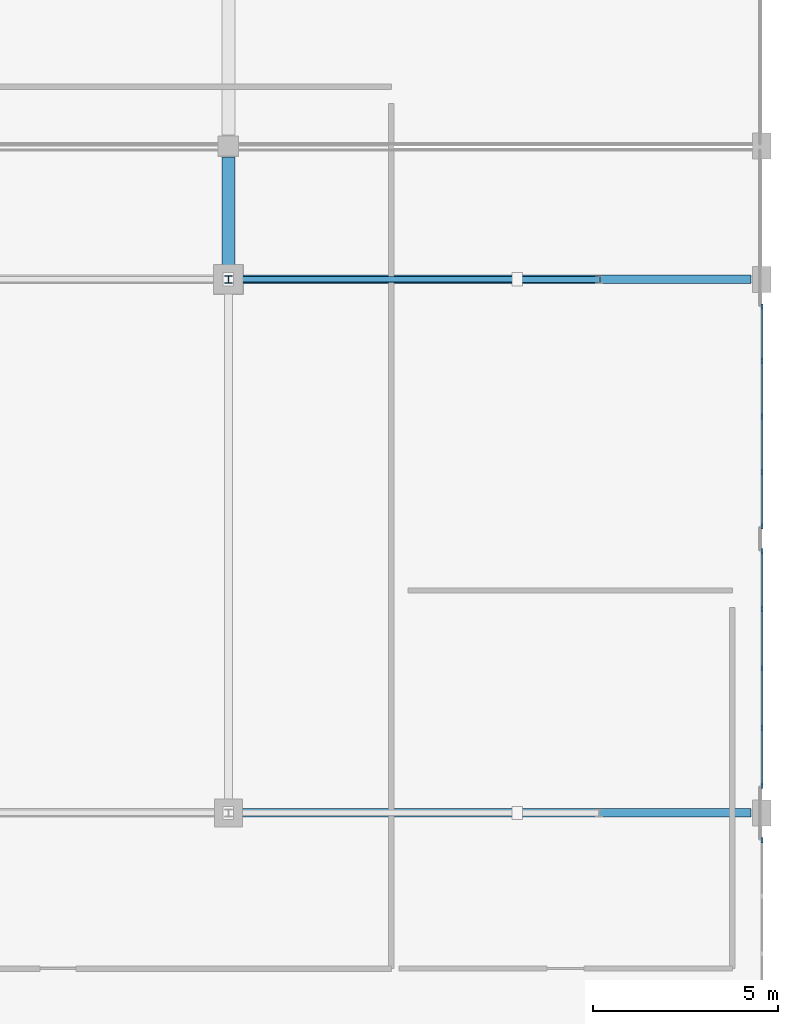
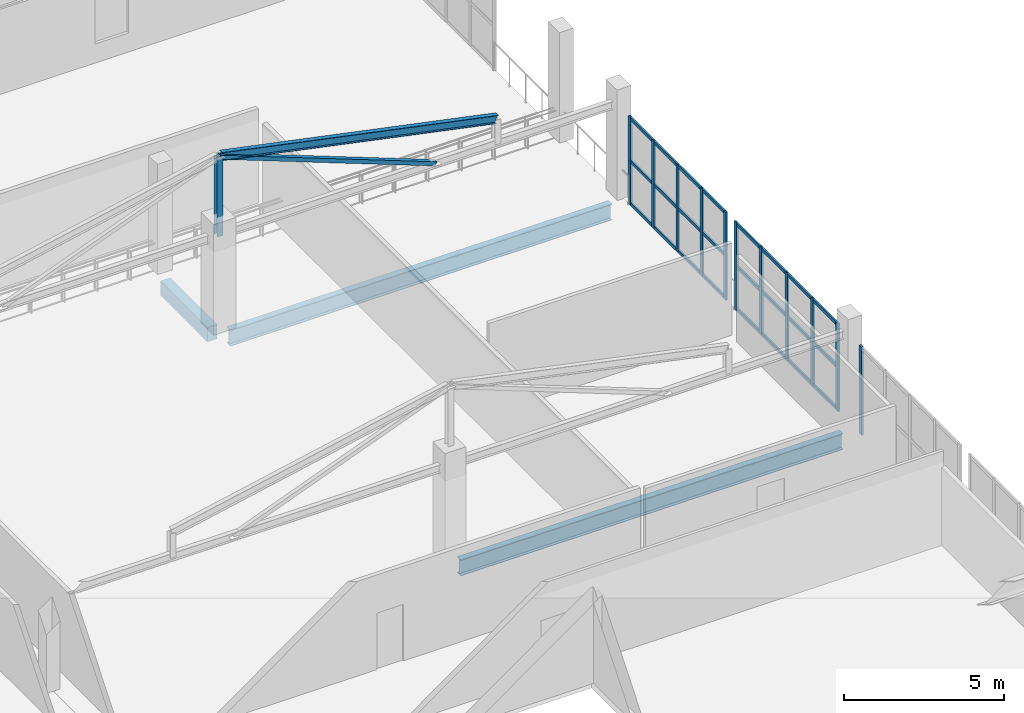
# One storey, part 37 of 92: 37 members, 4 beams, 3 elements without a shape of their own.
"""IFC4 building model written with IfcOpenShell, lengths in metres."""

from ifc_helpers import new_model, si_unit, direction, frame, origin, origin_2d, place, context, subcontext, project, spatial, rectangle, hollow_rectangle, i_section, extrude, material, material_profile, profile_set, type_object, element, aggregate, save


model = new_model("IFC4")

# Units and contexts
model_context = context("Model", 3, precision=1e-05, world=origin(), true_north=direction((0.0, 1.0)))
body_context = subcontext(model_context, "Body", "Model", "MODEL_VIEW")
ifc_project = project(units=[si_unit("LENGTHUNIT", "METRE"), si_unit("AREAUNIT", "SQUARE_METRE"), si_unit("VOLUMEUNIT", "CUBIC_METRE"), si_unit("PLANEANGLEUNIT", "RADIAN"), si_unit("MASSUNIT", "GRAM", prefix="KILO")], contexts=[model_context])

# Site, building, storey
site_placement = place(None, origin())
site = spatial("IfcSite", under=ifc_project, at=site_placement, CompositionType="ELEMENT")
building_placement = place(site_placement, origin())
building = spatial("IfcBuilding", under=site, at=building_placement, Name="Solanera Park Tramway Depot", CompositionType="ELEMENT")
storey_placement = place(building_placement, frame((0.0, 0.0, 4.800048828125)))
storey = spatial("IfcBuildingStorey", under=building, at=storey_placement, Name="L01", CompositionType="ELEMENT", Elevation=4.800048828125)

# Curtain wall, member
ifc_material_1 = material(Name="Bronze-anodised thermally broken aluminium curtain wall", Category="aluminium")
curtain_wall_type = type_object("IfcCurtainWallType", Name="Parkfront Loggia Curtain Wall", PredefinedType="NOTDEFINED", material=ifc_material_1)
curtain_wall_1_placement = place(storey_placement, origin())
curtain_wall_1 = element("IfcCurtainWall", 1, at=curtain_wall_1_placement, inside=storey, type_object=curtain_wall_type, Name="L01 Parkfront Loggia Curtain Wall #136", PredefinedType="NOTDEFINED")
ifc_material_2 = material(Name="Bronze-anodised structural aluminium 6063-T6", Category="aluminium")
ifc_material_profile_1 = material_profile(ifc_material_2, rectangle(XDim=0.06494140625, YDim=0.14990234375, at=origin_2d()), Name="Curtain Wall Mullion 65x150")
ifc_profile_set_1 = profile_set([ifc_material_profile_1], Name="Bronze-anodised structural aluminium 6063-T6")
member_type_1 = type_object("IfcMemberType", Name="Curtain Wall Mullion 65x150", PredefinedType="MULLION", material=ifc_profile_set_1)
member_1_placement = place(storey_placement, frame((216.0, 35.267578125, 0.0), z_axis=(0.0, 0.0, 1.0), x_axis=(1.0, 0.0, 0.0)))
member_1 = element("IfcMember", 2, at=member_1_placement, type_object=member_type_1, Name="CW-L01-136 Mullion 5", PredefinedType="MULLION", context=body_context, shape_type="SweptSolid", body=[
    extrude(rectangle(XDim=0.06494140625, YDim=0.14990234375, at=origin_2d()), origin(), (0.0, 0.0, 1.0), 3.349853515625),
])
aggregate(curtain_wall_1, [member_1])

# Curtain wall, members
curtain_wall_2_placement = place(storey_placement, origin())
curtain_wall_2 = element("IfcCurtainWall", 3, at=curtain_wall_2_placement, inside=storey, type_object=curtain_wall_type, Name="L01 Parkfront Loggia Curtain Wall #137", PredefinedType="NOTDEFINED")
member_2_placement = place(storey_placement, frame((216.0, 36.732421875, 0.0), z_axis=(0.0, 0.0, 1.0), x_axis=(1.0, 0.0, 0.0)))
member_2 = element("IfcMember", 4, at=member_2_placement, type_object=member_type_1, Name="CW-L01-137 Mullion 1", PredefinedType="MULLION", context=body_context, shape_type="SweptSolid", body=[
    extrude(rectangle(XDim=0.06494140625, YDim=0.14990234375, at=origin_2d()), origin(), (0.0, 0.0, 1.0), 3.349853515625),
])
member_3_placement = place(storey_placement, frame((216.0, 38.300048828125, 0.0), z_axis=(0.0, 0.0, 1.0), x_axis=(1.0, 0.0, 0.0)))
member_3 = element("IfcMember", 5, at=member_3_placement, type_object=member_type_1, Name="CW-L01-137 Mullion 2", PredefinedType="MULLION", context=body_context, shape_type="SweptSolid", body=[
    extrude(rectangle(XDim=0.06494140625, YDim=0.14990234375, at=origin_2d()), origin(), (0.0, 0.0, 1.0), 3.349853515625),
])
member_4_placement = place(storey_placement, frame((216.0, 39.89990234375, 0.0), z_axis=(0.0, 0.0, 1.0), x_axis=(1.0, 0.0, 0.0)))
member_4 = element("IfcMember", 6, at=member_4_placement, type_object=member_type_1, Name="CW-L01-137 Mullion 3", PredefinedType="MULLION", context=body_context, shape_type="SweptSolid", body=[
    extrude(rectangle(XDim=0.06494140625, YDim=0.14990234375, at=origin_2d()), origin(), (0.0, 0.0, 1.0), 3.349853515625),
])
member_5_placement = place(storey_placement, frame((216.0, 41.5, 0.0), z_axis=(0.0, 0.0, 1.0), x_axis=(1.0, 0.0, 0.0)))
member_5 = element("IfcMember", 7, at=member_5_placement, type_object=member_type_1, Name="CW-L01-137 Mullion 4", PredefinedType="MULLION", context=body_context, shape_type="SweptSolid", body=[
    extrude(rectangle(XDim=0.06494140625, YDim=0.14990234375, at=origin_2d()), origin(), (0.0, 0.0, 1.0), 3.349853515625),
])
member_6_placement = place(storey_placement, frame((216.0, 43.0673828125, 0.0), z_axis=(0.0, 0.0, 1.0), x_axis=(1.0, 0.0, 0.0)))
member_6 = element("IfcMember", 8, at=member_6_placement, type_object=member_type_1, Name="CW-L01-137 Mullion 5", PredefinedType="MULLION", context=body_context, shape_type="SweptSolid", body=[
    extrude(rectangle(XDim=0.06494140625, YDim=0.14990234375, at=origin_2d()), origin(), (0.0, 0.0, 1.0), 3.349853515625),
])

curtain_wall_3_placement = place(storey_placement, origin())
curtain_wall_3 = element("IfcCurtainWall", 9, at=curtain_wall_3_placement, inside=storey, type_object=curtain_wall_type, Name="L01 Parkfront Loggia Curtain Wall #138", PredefinedType="NOTDEFINED")
member_7_placement = place(storey_placement, frame((216.0, 43.732421875, 0.0), z_axis=(0.0, 0.0, 1.0), x_axis=(1.0, 0.0, 0.0)))
member_7 = element("IfcMember", 10, at=member_7_placement, type_object=member_type_1, Name="CW-L01-138 Mullion 1", PredefinedType="MULLION", context=body_context, shape_type="SweptSolid", body=[
    extrude(rectangle(XDim=0.06494140625, YDim=0.14990234375, at=origin_2d()), origin(), (0.0, 0.0, 1.0), 3.349853515625),
])
member_8_placement = place(storey_placement, frame((216.0, 45.199951171875, 0.0), z_axis=(0.0, 0.0, 1.0), x_axis=(1.0, 0.0, 0.0)))
member_8 = element("IfcMember", 11, at=member_8_placement, type_object=member_type_1, Name="CW-L01-138 Mullion 2", PredefinedType="MULLION", context=body_context, shape_type="SweptSolid", body=[
    extrude(rectangle(XDim=0.06494140625, YDim=0.14990234375, at=origin_2d()), origin(), (0.0, 0.0, 1.0), 3.349853515625),
])
member_9_placement = place(storey_placement, frame((216.0, 46.699951171875, 0.0), z_axis=(0.0, 0.0, 1.0), x_axis=(1.0, 0.0, 0.0)))
member_9 = element("IfcMember", 12, at=member_9_placement, type_object=member_type_1, Name="CW-L01-138 Mullion 3", PredefinedType="MULLION", context=body_context, shape_type="SweptSolid", body=[
    extrude(rectangle(XDim=0.06494140625, YDim=0.14990234375, at=origin_2d()), origin(), (0.0, 0.0, 1.0), 3.349853515625),
])
member_10_placement = place(storey_placement, frame((216.0, 48.199951171875, 0.0), z_axis=(0.0, 0.0, 1.0), x_axis=(1.0, 0.0, 0.0)))
member_10 = element("IfcMember", 13, at=member_10_placement, type_object=member_type_1, Name="CW-L01-138 Mullion 4", PredefinedType="MULLION", context=body_context, shape_type="SweptSolid", body=[
    extrude(rectangle(XDim=0.06494140625, YDim=0.14990234375, at=origin_2d()), origin(), (0.0, 0.0, 1.0), 3.349853515625),
])
member_11_placement = place(storey_placement, frame((216.0, 49.66748046875, 0.0), z_axis=(0.0, 0.0, 1.0), x_axis=(1.0, 0.0, 0.0)))
member_11 = element("IfcMember", 14, at=member_11_placement, type_object=member_type_1, Name="CW-L01-138 Mullion 5", PredefinedType="MULLION", context=body_context, shape_type="SweptSolid", body=[
    extrude(rectangle(XDim=0.06494140625, YDim=0.14990234375, at=origin_2d()), origin(), (0.0, 0.0, 1.0), 3.349853515625),
])

# Member
ifc_material_3 = material(Name="Bronze-anodised structural aluminium 6063-T6", Category="aluminium")
ifc_material_profile_2 = material_profile(ifc_material_3, rectangle(XDim=0.06494140625, YDim=0.1201171875, at=origin_2d()), Name="Curtain Wall Transom 65x120")
ifc_profile_set_2 = profile_set([ifc_material_profile_2], Name="Bronze-anodised structural aluminium 6063-T6")
member_type_2 = type_object("IfcMemberType", Name="Curtain Wall Transom 65x120", PredefinedType="USERDEFINED", material=ifc_profile_set_2)
member_12_placement = place(storey_placement, frame((216.0, 36.760498046875, 0.06005859375), z_axis=(0.0, 1.0, 0.0), x_axis=(-1.0, 0.0, 0.0)))
member_12 = element("IfcMember", 15, at=member_12_placement, type_object=member_type_2, Name="CW-L01-137 Transom R1.C1", ObjectType="TRANSOM", PredefinedType="USERDEFINED", context=body_context, shape_type="SweptSolid", body=[
    extrude(rectangle(XDim=0.06494140625, YDim=0.1201171875, at=origin_2d()), origin(), (0.0, 0.0, 1.0), 1.511474609375),
])

member_13_placement = place(storey_placement, frame((216.0, 38.327880859375, 0.06005859375), z_axis=(0.0, 1.0, 0.0), x_axis=(-1.0, 0.0, 0.0)))
member_13 = element("IfcMember", 16, at=member_13_placement, type_object=member_type_2, Name="CW-L01-137 Transom R1.C2", ObjectType="TRANSOM", PredefinedType="USERDEFINED", context=body_context, shape_type="SweptSolid", body=[
    extrude(rectangle(XDim=0.06494140625, YDim=0.1201171875, at=origin_2d()), origin(), (0.0, 0.0, 1.0), 1.544189453125),
])

member_14_placement = place(storey_placement, frame((216.0, 39.927978515625, 0.06005859375), z_axis=(0.0, 1.0, 0.0), x_axis=(-1.0, 0.0, 0.0)))
member_14 = element("IfcMember", 17, at=member_14_placement, type_object=member_type_2, Name="CW-L01-137 Transom R1.C3", ObjectType="TRANSOM", PredefinedType="USERDEFINED", context=body_context, shape_type="SweptSolid", body=[
    extrude(rectangle(XDim=0.06494140625, YDim=0.1201171875, at=origin_2d()), origin(), (0.0, 0.0, 1.0), 1.5439453125),
])

member_15_placement = place(storey_placement, frame((216.0, 41.528076171875, 0.06005859375), z_axis=(0.0, 1.0, 0.0), x_axis=(-1.0, 0.0, 0.0)))
member_15 = element("IfcMember", 18, at=member_15_placement, type_object=member_type_2, Name="CW-L01-137 Transom R1.C4", ObjectType="TRANSOM", PredefinedType="USERDEFINED", context=body_context, shape_type="SweptSolid", body=[
    extrude(rectangle(XDim=0.06494140625, YDim=0.1201171875, at=origin_2d()), origin(), (0.0, 0.0, 1.0), 1.511474609375),
])

member_16_placement = place(storey_placement, frame((216.0, 36.760498046875, 1.675048828125), z_axis=(0.0, 1.0, 0.0), x_axis=(-1.0, 0.0, 0.0)))
member_16 = element("IfcMember", 19, at=member_16_placement, type_object=member_type_2, Name="CW-L01-137 Transom R2.C1", ObjectType="TRANSOM", PredefinedType="USERDEFINED", context=body_context, shape_type="SweptSolid", body=[
    extrude(rectangle(XDim=0.06494140625, YDim=0.1201171875, at=origin_2d()), origin(), (0.0, 0.0, 1.0), 1.511474609375),
])

member_17_placement = place(storey_placement, frame((216.0, 38.327880859375, 1.675048828125), z_axis=(0.0, 1.0, 0.0), x_axis=(-1.0, 0.0, 0.0)))
member_17 = element("IfcMember", 20, at=member_17_placement, type_object=member_type_2, Name="CW-L01-137 Transom R2.C2", ObjectType="TRANSOM", PredefinedType="USERDEFINED", context=body_context, shape_type="SweptSolid", body=[
    extrude(rectangle(XDim=0.06494140625, YDim=0.1201171875, at=origin_2d()), origin(), (0.0, 0.0, 1.0), 1.544189453125),
])

member_18_placement = place(storey_placement, frame((216.0, 39.927978515625, 1.675048828125), z_axis=(0.0, 1.0, 0.0), x_axis=(-1.0, 0.0, 0.0)))
member_18 = element("IfcMember", 21, at=member_18_placement, type_object=member_type_2, Name="CW-L01-137 Transom R2.C3", ObjectType="TRANSOM", PredefinedType="USERDEFINED", context=body_context, shape_type="SweptSolid", body=[
    extrude(rectangle(XDim=0.06494140625, YDim=0.1201171875, at=origin_2d()), origin(), (0.0, 0.0, 1.0), 1.5439453125),
])

member_19_placement = place(storey_placement, frame((216.0, 41.528076171875, 1.675048828125), z_axis=(0.0, 1.0, 0.0), x_axis=(-1.0, 0.0, 0.0)))
member_19 = element("IfcMember", 22, at=member_19_placement, type_object=member_type_2, Name="CW-L01-137 Transom R2.C4", ObjectType="TRANSOM", PredefinedType="USERDEFINED", context=body_context, shape_type="SweptSolid", body=[
    extrude(rectangle(XDim=0.06494140625, YDim=0.1201171875, at=origin_2d()), origin(), (0.0, 0.0, 1.0), 1.511474609375),
])

member_20_placement = place(storey_placement, frame((216.0, 36.760498046875, 3.2900390625), z_axis=(0.0, 1.0, 0.0), x_axis=(-1.0, 0.0, 0.0)))
member_20 = element("IfcMember", 23, at=member_20_placement, type_object=member_type_2, Name="CW-L01-137 Transom R3.C1", ObjectType="TRANSOM", PredefinedType="USERDEFINED", context=body_context, shape_type="SweptSolid", body=[
    extrude(rectangle(XDim=0.06494140625, YDim=0.1201171875, at=origin_2d()), origin(), (0.0, 0.0, 1.0), 1.511474609375),
])

member_21_placement = place(storey_placement, frame((216.0, 38.327880859375, 3.2900390625), z_axis=(0.0, 1.0, 0.0), x_axis=(-1.0, 0.0, 0.0)))
member_21 = element("IfcMember", 24, at=member_21_placement, type_object=member_type_2, Name="CW-L01-137 Transom R3.C2", ObjectType="TRANSOM", PredefinedType="USERDEFINED", context=body_context, shape_type="SweptSolid", body=[
    extrude(rectangle(XDim=0.06494140625, YDim=0.1201171875, at=origin_2d()), origin(), (0.0, 0.0, 1.0), 1.544189453125),
])

member_22_placement = place(storey_placement, frame((216.0, 39.927978515625, 3.2900390625), z_axis=(0.0, 1.0, 0.0), x_axis=(-1.0, 0.0, 0.0)))
member_22 = element("IfcMember", 25, at=member_22_placement, type_object=member_type_2, Name="CW-L01-137 Transom R3.C3", ObjectType="TRANSOM", PredefinedType="USERDEFINED", context=body_context, shape_type="SweptSolid", body=[
    extrude(rectangle(XDim=0.06494140625, YDim=0.1201171875, at=origin_2d()), origin(), (0.0, 0.0, 1.0), 1.5439453125),
])

member_23_placement = place(storey_placement, frame((216.0, 41.528076171875, 3.2900390625), z_axis=(0.0, 1.0, 0.0), x_axis=(-1.0, 0.0, 0.0)))
member_23 = element("IfcMember", 26, at=member_23_placement, type_object=member_type_2, Name="CW-L01-137 Transom R3.C4", ObjectType="TRANSOM", PredefinedType="USERDEFINED", context=body_context, shape_type="SweptSolid", body=[
    extrude(rectangle(XDim=0.06494140625, YDim=0.1201171875, at=origin_2d()), origin(), (0.0, 0.0, 1.0), 1.511474609375),
])

aggregate(curtain_wall_2, [member_2, member_3, member_4, member_5, member_6, member_12, member_13, member_14, member_15, member_16, member_17, member_18, member_19, member_20, member_21, member_22, member_23])

member_24_placement = place(storey_placement, frame((216.0, 43.760498046875, 0.06005859375), z_axis=(0.0, 1.0, 0.0), x_axis=(-1.0, 0.0, 0.0)))
member_24 = element("IfcMember", 27, at=member_24_placement, type_object=member_type_2, Name="CW-L01-138 Transom R1.C1", ObjectType="TRANSOM", PredefinedType="USERDEFINED", context=body_context, shape_type="SweptSolid", body=[
    extrude(rectangle(XDim=0.06494140625, YDim=0.1201171875, at=origin_2d()), origin(), (0.0, 0.0, 1.0), 1.41162109375),
])

member_25_placement = place(storey_placement, frame((216.0, 45.22802734375, 0.06005859375), z_axis=(0.0, 1.0, 0.0), x_axis=(-1.0, 0.0, 0.0)))
member_25 = element("IfcMember", 28, at=member_25_placement, type_object=member_type_2, Name="CW-L01-138 Transom R1.C2", ObjectType="TRANSOM", PredefinedType="USERDEFINED", context=body_context, shape_type="SweptSolid", body=[
    extrude(rectangle(XDim=0.06494140625, YDim=0.1201171875, at=origin_2d()), origin(), (0.0, 0.0, 1.0), 1.444091796875),
])

member_26_placement = place(storey_placement, frame((216.0, 46.72802734375, 0.06005859375), z_axis=(0.0, 1.0, 0.0), x_axis=(-1.0, 0.0, 0.0)))
member_26 = element("IfcMember", 29, at=member_26_placement, type_object=member_type_2, Name="CW-L01-138 Transom R1.C3", ObjectType="TRANSOM", PredefinedType="USERDEFINED", context=body_context, shape_type="SweptSolid", body=[
    extrude(rectangle(XDim=0.06494140625, YDim=0.1201171875, at=origin_2d()), origin(), (0.0, 0.0, 1.0), 1.444091796875),
])

member_27_placement = place(storey_placement, frame((216.0, 48.22802734375, 0.06005859375), z_axis=(0.0, 1.0, 0.0), x_axis=(-1.0, 0.0, 0.0)))
member_27 = element("IfcMember", 30, at=member_27_placement, type_object=member_type_2, Name="CW-L01-138 Transom R1.C4", ObjectType="TRANSOM", PredefinedType="USERDEFINED", context=body_context, shape_type="SweptSolid", body=[
    extrude(rectangle(XDim=0.06494140625, YDim=0.1201171875, at=origin_2d()), origin(), (0.0, 0.0, 1.0), 1.411376953125),
])

member_28_placement = place(storey_placement, frame((216.0, 43.760498046875, 1.675048828125), z_axis=(0.0, 1.0, 0.0), x_axis=(-1.0, 0.0, 0.0)))
member_28 = element("IfcMember", 31, at=member_28_placement, type_object=member_type_2, Name="CW-L01-138 Transom R2.C1", ObjectType="TRANSOM", PredefinedType="USERDEFINED", context=body_context, shape_type="SweptSolid", body=[
    extrude(rectangle(XDim=0.06494140625, YDim=0.1201171875, at=origin_2d()), origin(), (0.0, 0.0, 1.0), 1.41162109375),
])

member_29_placement = place(storey_placement, frame((216.0, 45.22802734375, 1.675048828125), z_axis=(0.0, 1.0, 0.0), x_axis=(-1.0, 0.0, 0.0)))
member_29 = element("IfcMember", 32, at=member_29_placement, type_object=member_type_2, Name="CW-L01-138 Transom R2.C2", ObjectType="TRANSOM", PredefinedType="USERDEFINED", context=body_context, shape_type="SweptSolid", body=[
    extrude(rectangle(XDim=0.06494140625, YDim=0.1201171875, at=origin_2d()), origin(), (0.0, 0.0, 1.0), 1.444091796875),
])

member_30_placement = place(storey_placement, frame((216.0, 46.72802734375, 1.675048828125), z_axis=(0.0, 1.0, 0.0), x_axis=(-1.0, 0.0, 0.0)))
member_30 = element("IfcMember", 33, at=member_30_placement, type_object=member_type_2, Name="CW-L01-138 Transom R2.C3", ObjectType="TRANSOM", PredefinedType="USERDEFINED", context=body_context, shape_type="SweptSolid", body=[
    extrude(rectangle(XDim=0.06494140625, YDim=0.1201171875, at=origin_2d()), origin(), (0.0, 0.0, 1.0), 1.444091796875),
])

member_31_placement = place(storey_placement, frame((216.0, 48.22802734375, 1.675048828125), z_axis=(0.0, 1.0, 0.0), x_axis=(-1.0, 0.0, 0.0)))
member_31 = element("IfcMember", 34, at=member_31_placement, type_object=member_type_2, Name="CW-L01-138 Transom R2.C4", ObjectType="TRANSOM", PredefinedType="USERDEFINED", context=body_context, shape_type="SweptSolid", body=[
    extrude(rectangle(XDim=0.06494140625, YDim=0.1201171875, at=origin_2d()), origin(), (0.0, 0.0, 1.0), 1.411376953125),
])

member_32_placement = place(storey_placement, frame((216.0, 43.760498046875, 3.2900390625), z_axis=(0.0, 1.0, 0.0), x_axis=(-1.0, 0.0, 0.0)))
member_32 = element("IfcMember", 35, at=member_32_placement, type_object=member_type_2, Name="CW-L01-138 Transom R3.C1", ObjectType="TRANSOM", PredefinedType="USERDEFINED", context=body_context, shape_type="SweptSolid", body=[
    extrude(rectangle(XDim=0.06494140625, YDim=0.1201171875, at=origin_2d()), origin(), (0.0, 0.0, 1.0), 1.41162109375),
])

member_33_placement = place(storey_placement, frame((216.0, 45.22802734375, 3.2900390625), z_axis=(0.0, 1.0, 0.0), x_axis=(-1.0, 0.0, 0.0)))
member_33 = element("IfcMember", 36, at=member_33_placement, type_object=member_type_2, Name="CW-L01-138 Transom R3.C2", ObjectType="TRANSOM", PredefinedType="USERDEFINED", context=body_context, shape_type="SweptSolid", body=[
    extrude(rectangle(XDim=0.06494140625, YDim=0.1201171875, at=origin_2d()), origin(), (0.0, 0.0, 1.0), 1.444091796875),
])

member_34_placement = place(storey_placement, frame((216.0, 46.72802734375, 3.2900390625), z_axis=(0.0, 1.0, 0.0), x_axis=(-1.0, 0.0, 0.0)))
member_34 = element("IfcMember", 37, at=member_34_placement, type_object=member_type_2, Name="CW-L01-138 Transom R3.C3", ObjectType="TRANSOM", PredefinedType="USERDEFINED", context=body_context, shape_type="SweptSolid", body=[
    extrude(rectangle(XDim=0.06494140625, YDim=0.1201171875, at=origin_2d()), origin(), (0.0, 0.0, 1.0), 1.444091796875),
])

member_35_placement = place(storey_placement, frame((216.0, 48.22802734375, 3.2900390625), z_axis=(0.0, 1.0, 0.0), x_axis=(-1.0, 0.0, 0.0)))
member_35 = element("IfcMember", 38, at=member_35_placement, type_object=member_type_2, Name="CW-L01-138 Transom R3.C4", ObjectType="TRANSOM", PredefinedType="USERDEFINED", context=body_context, shape_type="SweptSolid", body=[
    extrude(rectangle(XDim=0.06494140625, YDim=0.1201171875, at=origin_2d()), origin(), (0.0, 0.0, 1.0), 1.411376953125),
])

aggregate(curtain_wall_3, [member_7, member_8, member_9, member_10, member_11, member_24, member_25, member_26, member_27, member_28, member_29, member_30, member_31, member_32, member_33, member_34, member_35])

# Beam
ifc_material_4 = material(Name="Concrete N40 (C40/50)", Category="concrete")
ifc_material_profile_3 = material_profile(ifc_material_4, rectangle(XDim=0.35009765625, YDim=0.550048828125, at=origin_2d()), Name="RCB 350x550")
ifc_profile_set_3 = profile_set([ifc_material_profile_3], Name="Concrete N40 (C40/50)")
beam_type_1 = type_object("IfcBeamType", Name="RC Floor Beam RCB 350x550", PredefinedType="BEAM", material=ifc_profile_set_3)
beam_1_placement = place(storey_placement, frame((201.60009765625, 50.77490234375, -0.529052734375), z_axis=(0.0, 1.0, 0.0), x_axis=(-1.0, 0.0, 0.0)))
element("IfcBeam", 39, at=beam_1_placement, inside=storey, type_object=beam_type_1, Name="L01 Primary Y-Girder RCB 350x550 #0086", PredefinedType="BEAM", context=body_context, shape_type="SweptSolid", body=[
    extrude(rectangle(XDim=0.35009765625, YDim=0.550048828125, at=origin_2d()), origin(), (0.0, 0.0, 1.0), 2.925048828125),
])

# Member
ifc_material_5 = material(Name="Steel AS/NZS 3679.1 Grade 350", Category="steel")
ifc_material_profile_4 = material_profile(ifc_material_5, i_section(OverallWidth=0.205078125, OverallDepth=0.209716796875, WebThickness=0.00927734375, FlangeThickness=0.01416015625, at=origin_2d()), Name="200UC59.5")
ifc_profile_set_4 = profile_set([ifc_material_profile_4], Name="Steel AS/NZS 3679.1 Grade 350")
member_type_3 = type_object("IfcMemberType", Name="Roof Gantry Compression Strut 200UC59.5", PredefinedType="STRUT", material=ifc_profile_set_4)
member_36_placement = place(storey_placement, frame((201.60009765625, 50.39990234375, 3.451416015625), z_axis=(0.0, 0.0, 1.0), x_axis=(1.0, 0.0, 0.0)))
element("IfcMember", 40, at=member_36_placement, inside=storey, type_object=member_type_3, Name="Hip ROOF TRUSS King Post #0184", PredefinedType="STRUT", context=body_context, shape_type="SweptSolid", body=[
    extrude(i_section(OverallWidth=0.205078125, OverallDepth=0.209716796875, WebThickness=0.00927734375, FlangeThickness=0.01416015625, at=origin_2d()), origin(), (0.0, 0.0, 1.0), 2.982421875),
])

# Beams
ifc_material_6 = material(Name="Steel AS/NZS 3679.1 Grade 350", Category="steel")
ifc_material_profile_5 = material_profile(ifc_material_6, i_section(OverallWidth=0.166015625, OverallDepth=0.30712890625, WebThickness=0.006591796875, FlangeThickness=0.01171875, at=origin_2d()), Name="310UB46.2")
ifc_profile_set_5 = profile_set([ifc_material_profile_5], Name="Steel AS/NZS 3679.1 Grade 350")
beam_type_2 = type_object("IfcBeamType", Name="Steel Beam 310UB46.2", PredefinedType="BEAM", material=ifc_profile_set_5)
beam_2_placement = place(storey_placement, frame((201.659912109375, 50.39990234375, 6.433837890625), z_axis=(0.97918779595, 0.0, -0.202956301364), x_axis=(0.0, 1.0, 0.0)))
element("IfcBeam", 41, at=beam_2_placement, inside=storey, type_object=beam_type_2, Name="L01 Hip ROOF TRUSS Rafter 310UB46.2 #1133", PredefinedType="BEAM", context=body_context, shape_type="SweptSolid", body=[
    extrude(i_section(OverallWidth=0.166015625, OverallDepth=0.30712890625, WebThickness=0.006591796875, FlangeThickness=0.01171875, at=origin_2d()), origin(), (0.0, 0.0, 1.0), 10.1513671875),
])
ifc_material_7 = material(Name="Steel AS/NZS 3679.1 Grade 350", Category="steel")
ifc_material_profile_6 = material_profile(ifc_material_7, i_section(OverallWidth=0.22900390625, OverallDepth=0.611572265625, WebThickness=0.011962890625, FlangeThickness=0.01953125, at=origin_2d()), Name="610UB125")
ifc_profile_set_6 = profile_set([ifc_material_profile_6], Name="Steel AS/NZS 3679.1 Grade 350")
beam_type_3 = type_object("IfcBeamType", Name="Steel Beam 610UB125", PredefinedType="BEAM", material=ifc_profile_set_6)
beam_3_placement = place(storey_placement, frame((201.949951171875, 36.0, -0.559814453125), z_axis=(1.0, 0.0, 0.0), x_axis=(0.0, 1.0, 0.0)))
element("IfcBeam", 42, at=beam_3_placement, inside=storey, type_object=beam_type_3, Name="L01 Primary X-Girder 610UB125 #0026", PredefinedType="BEAM", context=body_context, shape_type="SweptSolid", body=[
    extrude(i_section(OverallWidth=0.22900390625, OverallDepth=0.611572265625, WebThickness=0.011962890625, FlangeThickness=0.01953125, at=origin_2d()), origin(), (0.0, 0.0, 1.0), 13.75),
])
beam_4_placement = place(storey_placement, frame((201.97509765625, 50.39990234375, -0.559814453125), z_axis=(1.0, 0.0, 0.0), x_axis=(0.0, 1.0, 0.0)))
element("IfcBeam", 43, at=beam_4_placement, inside=storey, type_object=beam_type_3, Name="L01 Primary X-Girder 610UB125 #0033", PredefinedType="BEAM", context=body_context, shape_type="SweptSolid", body=[
    extrude(i_section(OverallWidth=0.22900390625, OverallDepth=0.611572265625, WebThickness=0.011962890625, FlangeThickness=0.01953125, at=origin_2d()), origin(), (0.0, 0.0, 1.0), 13.724853515625),
])

# Member
ifc_material_8 = material(Name="Steel AS/NZS 1163 Grade C350L0", Category="steel")
ifc_material_profile_7 = material_profile(ifc_material_8, hollow_rectangle(XDim=0.14990234375, YDim=0.14990234375, WallThickness=0.006103515625, at=origin_2d()), Name="150x150x6.0 SHS")
ifc_profile_set_7 = profile_set([ifc_material_profile_7], Name="Steel AS/NZS 1163 Grade C350L0")
member_type_4 = type_object("IfcMemberType", Name="Truss and Frame Brace 150x150x6.0 SHS", PredefinedType="BRACE", material=ifc_profile_set_7)
member_37_placement = place(storey_placement, frame((209.39990234375, 50.39990234375, 3.451416015625), z_axis=(-0.934046097767, 0.0, 0.357152470587), x_axis=(0.0, -1.0, 0.0)))
element("IfcMember", 44, at=member_37_placement, inside=storey, type_object=member_type_4, Name="Hip ROOF TRUSS Web #0496", PredefinedType="BRACE", context=body_context, shape_type="SweptSolid", body=[
    extrude(hollow_rectangle(XDim=0.14990234375, YDim=0.14990234375, WallThickness=0.006103515625, at=origin_2d()), origin(), (0.0, 0.0, 1.0), 8.3505859375),
])

save(model, "model.ifc")
